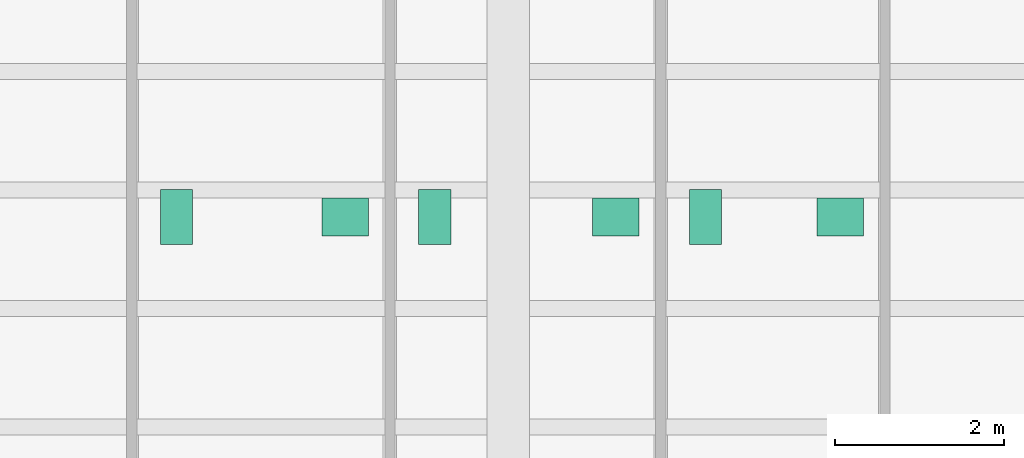
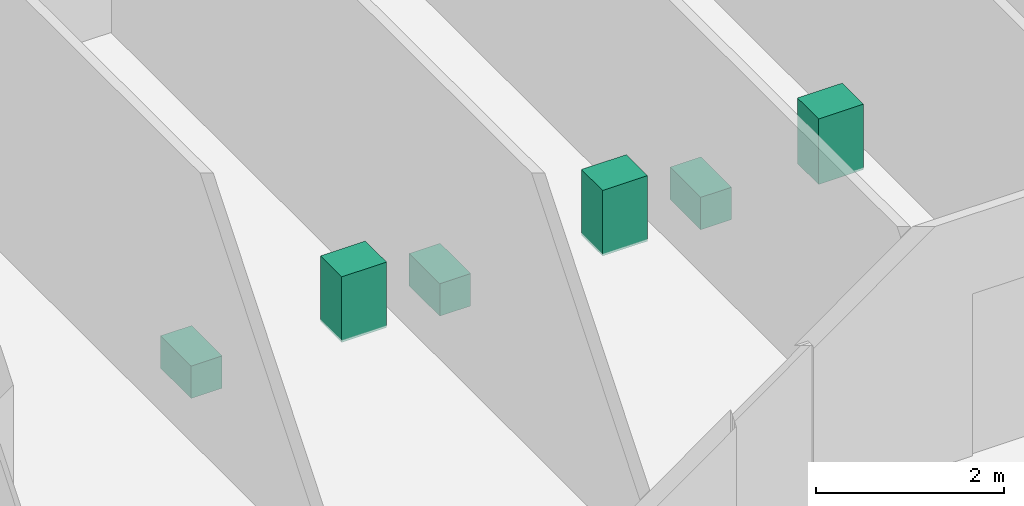
# One storey, part 10 of 10: 6 sanitary terminals.
"""IFC4 building model written with IfcOpenShell, lengths in metres."""

from ifc_helpers import new_model, si_unit, direction, frame, origin, origin_2d, place, context, subcontext, project, spatial, rectangle, extrude, material, type_object, element, save


model = new_model("IFC4")

# Units and contexts
model_context = context("Model", 3, precision=1e-05, world=origin(), true_north=direction((0.0, 1.0)))
body_context = subcontext(model_context, "Body", "Model", "MODEL_VIEW")
ifc_project = project(units=[si_unit("LENGTHUNIT", "METRE"), si_unit("AREAUNIT", "SQUARE_METRE"), si_unit("VOLUMEUNIT", "CUBIC_METRE"), si_unit("PLANEANGLEUNIT", "RADIAN"), si_unit("MASSUNIT", "GRAM", prefix="KILO")], contexts=[model_context])

# Site, building, storey
site_placement = place(None, origin())
site = spatial("IfcSite", under=ifc_project, at=site_placement, CompositionType="ELEMENT")
building_placement = place(site_placement, origin())
building = spatial("IfcBuilding", under=site, at=building_placement, Name="Kranthara Brick Stack", CompositionType="ELEMENT")
storey_placement = place(building_placement, frame((0.0, 0.0, 102.300048828125)))
storey = spatial("IfcBuildingStorey", under=building, at=storey_placement, Name="L25", CompositionType="ELEMENT", Elevation=102.300048828125)

# Sanitary terminals
ifc_material_1 = material(Name="Vitreous china sanitary porcelain", Category="other")
sanitary_terminal_type_1 = type_object("IfcSanitaryTerminalType", Name="SAN-BASIN", PredefinedType="WASHHANDBASIN", material=ifc_material_1)
for number, where, z_axis, x_axis, name in (
    (1, (26.070068359375, 29.985107421875, 0.0), (0.0, 0.0, 1.0), (1.0, 0.0, 0.0), "L25 Washbasin 77"),
    (2, (29.27001953125, 29.985107421875, 0.0), (0.0, 0.0, 1.0), (1.0, 0.0, 0.0), "L25 Washbasin 78"),
    (3, (31.919921875, 29.985107421875, 0.0), (0.0, 0.0, 1.0), (1.0, 0.0, 0.0), "L25 Washbasin 79"),
):
    element("IfcSanitaryTerminal", number, at=place(storey_placement, frame(where, z_axis=z_axis, x_axis=x_axis)), inside=storey, type_object=sanitary_terminal_type_1, Name=name, PredefinedType="WASHHANDBASIN", context=body_context, shape_type="SweptSolid", body=[
        extrude(rectangle(XDim=0.550048828125, YDim=0.449951171875, at=origin_2d()), origin(), (0.0, 0.0, 1.0), 0.85009765625),
    ])
ifc_material_2 = material(Name="Vitreous china sanitary porcelain", Category="other")
sanitary_terminal_type_2 = type_object("IfcSanitaryTerminalType", Name="SAN-WC-PAN", PredefinedType="TOILETPAN", material=ifc_material_2)
for number, where, z_axis, x_axis, name in (
    (4, (24.080078125, 29.985107421875, 0.0), (0.0, 0.0, 1.0), (1.0, 0.0, 0.0), "L25 WC Pan 77"),
    (5, (27.1298828125, 29.985107421875, 0.0), (0.0, 0.0, 1.0), (1.0, 0.0, 0.0), "L25 WC Pan 78"),
    (6, (30.330078125, 29.985107421875, 0.0), (0.0, 0.0, 1.0), (1.0, 0.0, 0.0), "L25 WC Pan 79"),
):
    element("IfcSanitaryTerminal", number, at=place(storey_placement, frame(where, z_axis=z_axis, x_axis=x_axis)), inside=storey, type_object=sanitary_terminal_type_2, Name=name, PredefinedType="TOILETPAN", context=body_context, shape_type="SweptSolid", body=[
        extrude(rectangle(XDim=0.3798828125, YDim=0.64990234375, at=origin_2d()), origin(), (0.0, 0.0, 1.0), 0.419921875),
    ])

save(model, "model.ifc")
